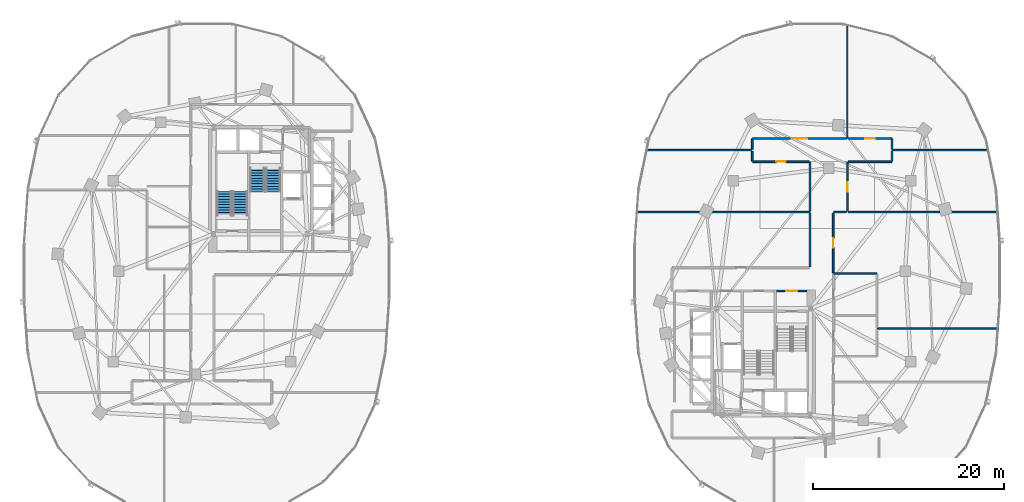
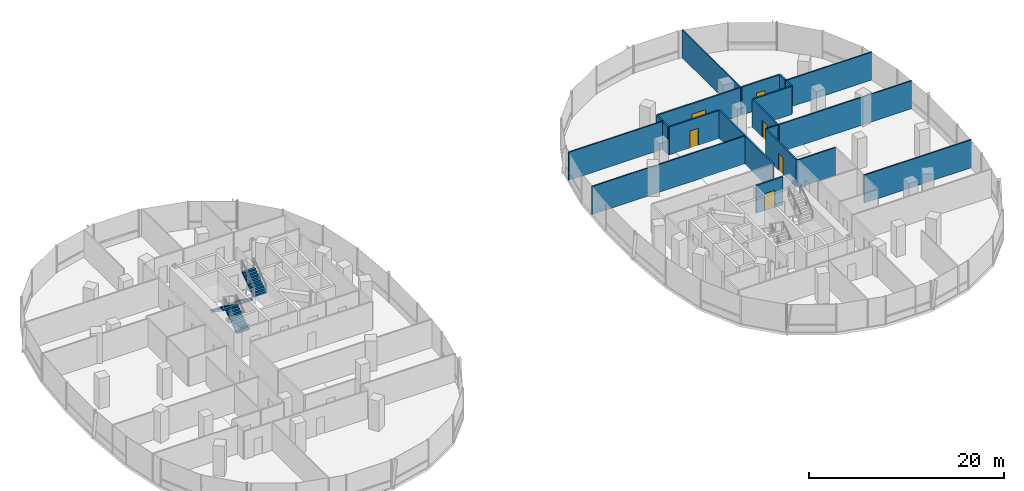
# One storey, part 14 of 22: 21 walls, 6 doors, 4 stair flights, 6 openings, 2 elements without a shape of their own.
"""IFC4 building model written with IfcOpenShell, lengths in metres."""

from ifc_helpers import new_model, si_unit, direction, frame, frame_2d, origin, place, context, subcontext, project, spatial, polyline, rectangle, outline, extrude, material, layer, layer_set, type_object, element, fill, aggregate, save


model = new_model("IFC4")

# Units and contexts
model_context = context("Model", 3, precision=1e-05, world=origin(), true_north=direction((0.0, 1.0)))
body_context = subcontext(model_context, "Body", "Model", "MODEL_VIEW")
ifc_project = project(units=[si_unit("LENGTHUNIT", "METRE"), si_unit("AREAUNIT", "SQUARE_METRE"), si_unit("VOLUMEUNIT", "CUBIC_METRE"), si_unit("PLANEANGLEUNIT", "RADIAN"), si_unit("MASSUNIT", "GRAM", prefix="KILO"), si_unit("THERMODYNAMICTEMPERATUREUNIT", "KELVIN"), si_unit("POWERUNIT", "WATT")], contexts=[model_context])

# Site, building, storey
site_placement = place(None, origin())
site = spatial("IfcSite", under=ifc_project, at=site_placement, CompositionType="ELEMENT")
building_placement = place(site_placement, origin())
building = spatial("IfcBuilding", under=site, at=building_placement, Name="Cundina Bronze Exchange", CompositionType="ELEMENT")
storey_placement = place(building_placement, frame((0.0, 0.0, 35.39990234375)))
storey = spatial("IfcBuildingStorey", under=building, at=storey_placement, Name="L08", CompositionType="ELEMENT", Elevation=35.39990234375)

# Wall, opening, door
ifc_material_1 = material(Name="Gypsum Fireboard Partition EI120")
ifc_layer_1 = layer(ifc_material_1, 0.179931640625, Name="Gypsum Fireboard Partition EI120")
ifc_layer_set_1 = layer_set([ifc_layer_1], Name="Gypsum Fireboard Partition EI120")
wall_type_1 = type_object("IfcWallType", Name="WL-COR-180", PredefinedType="PARTITIONING", material=ifc_layer_set_1)
wall_1_placement = place(storey_placement, frame((27.739990234375, -2.06005859375, 0.0), z_axis=(0.0, 0.0, 1.0), x_axis=(1.0, 0.0, 0.0)))
wall_1 = element("IfcWall", 1, at=wall_1_placement, inside=storey, type_object=wall_type_1, Name="L08 E Stair Vestibule Exit Wall", PredefinedType="PARTITIONING", context=body_context, shape_type="SweptSolid", body=[
    extrude(rectangle(XDim=3.159912109375, YDim=0.179931640625, at=frame_2d((1.580078125, 0.0))), origin(), (0.0, 0.0, 1.0), 3.5),
])
opening_1_placement = place(wall_1_placement, frame((0.97998046875, 0.0, 0.0)))
opening_1 = element("IfcOpeningElement", 2, at=opening_1_placement, cuts=wall_1, Name="Opening DF-01", PredefinedType="OPENING", context=body_context, shape_type="SweptSolid", body=[
    extrude(rectangle(XDim=1.199951171875, YDim=2.14990234375, at=frame_2d((0.60009765625, 1.074951171875))), frame((0.0, 0.099853515625, 0.0), z_axis=(0.0, -1.0, 0.0), x_axis=(1.0, 0.0, 0.0)), (0.0, 0.0, 1.0), 0.199951171875),
])
ifc_material_2 = material(Name="Steel ASTM A36 Painted", Category="steel")
door_type_1 = type_object("IfcDoorType", Name="DR-FFL-1200", OperationType="NOTDEFINED", PredefinedType="DOOR", material=ifc_material_2)
door_1_placement = place(opening_1_placement, origin())
door_1 = element("IfcDoor", 3, at=door_1_placement, inside=storey, type_object=door_type_1, Name="L08 E Stair Vestibule Door", OperationType="SINGLE_SWING_RIGHT", OverallHeight=2.14990234375, OverallWidth=1.199951171875, PredefinedType="DOOR", context=body_context, shape_type="SweptSolid", body=[
    extrude(rectangle(XDim=1.199951171875, YDim=2.14990234375, at=frame_2d((0.60009765625, 1.074951171875))), frame((0.0, 0.02490234375, 0.0), z_axis=(0.0, -1.0, 0.0), x_axis=(1.0, 0.0, 0.0)), (0.0, 0.0, 1.0), 0.050048828125),
])
fill(opening_1, door_1)

# Wall
wall_2_placement = place(storey_placement, frame((31.22998046875, 6.10009765625, 0.0), z_axis=(0.0, 0.0, 1.0), x_axis=(0.0, -1.0, 0.0)))
element("IfcWall", 4, at=wall_2_placement, inside=storey, type_object=wall_type_1, Name="L08 Interior Partition 082", PredefinedType="PARTITIONING", context=body_context, shape_type="SweptSolid", body=[
    extrude(rectangle(XDim=5.650146484375, YDim=0.179931640625, at=frame_2d((2.8251953125, 0.0))), origin(), (0.0, 0.0, 1.0), 3.5),
])

# Wall, opening, door
wall_3_placement = place(storey_placement, frame((33.669921875, -0.15869140625, 0.0), z_axis=(0.0, 0.0, 1.0), x_axis=(0.0, 1.0, 0.0)))
wall_3 = element("IfcWall", 5, at=wall_3_placement, inside=storey, type_object=wall_type_1, Name="L08 Interior Partition 086", PredefinedType="PARTITIONING", context=body_context, shape_type="SweptSolid", body=[
    extrude(rectangle(XDim=6.2587890625, YDim=0.179931640625, at=frame_2d((3.12939453125, 0.0))), origin(), (0.0, 0.0, 1.0), 3.5),
])
opening_2_placement = place(wall_3_placement, frame((2.62939453125, 0.0, 0.0)))
opening_2 = element("IfcOpeningElement", 6, at=opening_2_placement, cuts=wall_3, Name="Opening DO-01", PredefinedType="OPENING", context=body_context, shape_type="SweptSolid", body=[
    extrude(rectangle(XDim=1.0, YDim=2.14990234375, at=frame_2d((0.5, 1.074951171875))), frame((0.0, 0.099853515625, 0.0), z_axis=(0.0, -1.0, 0.0), x_axis=(1.0, 0.0, 0.0)), (0.0, 0.0, 1.0), 0.199951171875),
])
ifc_material_3 = material(Name="Solid Andean Oak Timber Grade A", Category="wood")
door_type_2 = type_object("IfcDoorType", Name="DR-OFF-1000", OperationType="NOTDEFINED", PredefinedType="DOOR", material=ifc_material_3)
door_2_placement = place(opening_2_placement, origin())
door_2 = element("IfcDoor", 7, at=door_2_placement, inside=storey, type_object=door_type_2, Name="L08 Interior Door 086", OperationType="SINGLE_SWING_RIGHT", OverallHeight=2.14990234375, OverallWidth=1.0, PredefinedType="DOOR", context=body_context, shape_type="SweptSolid", body=[
    extrude(rectangle(XDim=1.0, YDim=2.14990234375, at=frame_2d((0.5, 1.074951171875))), frame((0.0, 0.02490234375, 0.0), z_axis=(0.0, -1.0, 0.0), x_axis=(1.0, 0.0, 0.0)), (0.0, 0.0, 1.0), 0.050048828125),
])
fill(opening_2, door_2)

wall_4_placement = place(storey_placement, frame((25.221435546875, 11.47998046875, 0.0), z_axis=(0.0, 0.0, 1.0), x_axis=(1.0, 0.0, 0.0)))
wall_4 = element("IfcWall", 8, at=wall_4_placement, inside=storey, type_object=wall_type_1, Name="L08 Interior Partition 087", PredefinedType="PARTITIONING", context=body_context, shape_type="SweptSolid", body=[
    extrude(rectangle(XDim=5.928466796875, YDim=0.179931640625, at=frame_2d((2.96435546875, 0.0))), origin(), (0.0, 0.0, 1.0), 3.5),
])
opening_3_placement = place(wall_4_placement, frame((2.464111328125, 0.0, 0.0)))
opening_3 = element("IfcOpeningElement", 9, at=opening_3_placement, cuts=wall_4, Name="Opening DO-01", PredefinedType="OPENING", context=body_context, shape_type="SweptSolid", body=[
    extrude(rectangle(XDim=1.0, YDim=2.14990234375, at=frame_2d((0.5, 1.074951171875))), frame((0.0, 0.099853515625, 0.0), z_axis=(0.0, -1.0, 0.0), x_axis=(1.0, 0.0, 0.0)), (0.0, 0.0, 1.0), 0.199951171875),
])
door_3_placement = place(opening_3_placement, origin())
door_3 = element("IfcDoor", 10, at=door_3_placement, inside=storey, type_object=door_type_2, Name="L08 Interior Door 087", OperationType="SINGLE_SWING_RIGHT", OverallHeight=2.14990234375, OverallWidth=1.0, PredefinedType="DOOR", context=body_context, shape_type="SweptSolid", body=[
    extrude(rectangle(XDim=1.0, YDim=2.14990234375, at=frame_2d((0.5, 1.074951171875))), frame((0.0, 0.02490234375, 0.0), z_axis=(0.0, -1.0, 0.0), x_axis=(1.0, 0.0, 0.0)), (0.0, 0.0, 1.0), 0.050048828125),
])
fill(opening_3, door_3)

# Walls
wall_5_placement = place(storey_placement, frame((31.22998046875, 11.39990234375, 0.0), z_axis=(0.0, 0.0, 1.0), x_axis=(0.0, -1.0, 0.0)))
element("IfcWall", 11, at=wall_5_placement, inside=storey, type_object=wall_type_1, Name="L08 Interior Partition 088", PredefinedType="PARTITIONING", context=body_context, shape_type="SweptSolid", body=[
    extrude(rectangle(XDim=5.119873046875, YDim=0.179931640625, at=frame_2d((2.56005859375, 0.0))), origin(), (0.0, 0.0, 1.0), 3.5),
])
wall_6_placement = place(storey_placement, frame((25.179931640625, 12.60009765625, 0.0), z_axis=(0.0, 0.0, 1.0), x_axis=(0.0, -1.0, 0.0)))
element("IfcWall", 12, at=wall_6_placement, inside=storey, type_object=wall_type_1, Name="L08 Interior Partition 089", PredefinedType="PARTITIONING", context=body_context, shape_type="SweptSolid", body=[
    extrude(rectangle(XDim=1.07861328125, YDim=0.179931640625, at=frame_2d((0.539306640625, 0.0))), origin(), (0.0, 0.0, 1.0), 3.5),
])

# Wall, opening, door
wall_7_placement = place(storey_placement, frame((35.14990234375, 6.280029296875, 0.0), z_axis=(0.0, 0.0, 1.0), x_axis=(0.0, 1.0, 0.0)))
wall_7 = element("IfcWall", 13, at=wall_7_placement, inside=storey, type_object=wall_type_1, Name="L08 Interior Partition 090", PredefinedType="PARTITIONING", context=body_context, shape_type="SweptSolid", body=[
    extrude(rectangle(XDim=5.119873046875, YDim=0.179931640625, at=frame_2d((2.56005859375, 0.0))), origin(), (0.0, 0.0, 1.0), 3.5),
])
opening_4_placement = place(wall_7_placement, frame((2.06005859375, 0.0, 0.0)))
opening_4 = element("IfcOpeningElement", 14, at=opening_4_placement, cuts=wall_7, Name="Opening DO-01", PredefinedType="OPENING", context=body_context, shape_type="SweptSolid", body=[
    extrude(rectangle(XDim=1.0, YDim=2.14990234375, at=frame_2d((0.5, 1.074951171875))), frame((0.0, 0.099853515625, 0.0), z_axis=(0.0, -1.0, 0.0), x_axis=(1.0, 0.0, 0.0)), (0.0, 0.0, 1.0), 0.199951171875),
])
door_4_placement = place(opening_4_placement, origin())
door_4 = element("IfcDoor", 15, at=door_4_placement, inside=storey, type_object=door_type_2, Name="L08 Interior Door 090", OperationType="SINGLE_SWING_RIGHT", OverallHeight=2.14990234375, OverallWidth=1.0, PredefinedType="DOOR", context=body_context, shape_type="SweptSolid", body=[
    extrude(rectangle(XDim=1.0, YDim=2.14990234375, at=frame_2d((0.5, 1.074951171875))), frame((0.0, 0.02490234375, 0.0), z_axis=(0.0, -1.0, 0.0), x_axis=(1.0, 0.0, 0.0)), (0.0, 0.0, 1.0), 0.050048828125),
])
fill(opening_4, door_4)

# Walls
wall_8_placement = place(storey_placement, frame((35.22998046875, 11.47998046875, 0.0), z_axis=(0.0, 0.0, 1.0), x_axis=(1.0, 0.0, 0.0)))
element("IfcWall", 16, at=wall_8_placement, inside=storey, type_object=wall_type_1, Name="L08 Interior Partition 091", PredefinedType="PARTITIONING", context=body_context, shape_type="SweptSolid", body=[
    extrude(rectangle(XDim=4.548583984375, YDim=0.179931640625, at=frame_2d((2.2744140625, 0.0))), origin(), (0.0, 0.0, 1.0), 3.5),
])
wall_9_placement = place(storey_placement, frame((39.820068359375, 11.521484375, 0.0), z_axis=(0.0, 0.0, 1.0), x_axis=(0.0, 1.0, 0.0)))
element("IfcWall", 17, at=wall_9_placement, inside=storey, type_object=wall_type_1, Name="L08 Interior Partition 092", PredefinedType="PARTITIONING", context=body_context, shape_type="SweptSolid", body=[
    extrude(rectangle(XDim=1.07861328125, YDim=0.179931640625, at=frame_2d((0.539306640625, 0.0))), origin(), (0.0, 0.0, 1.0), 3.5),
])

# Wall, opening, door
wall_10_placement = place(storey_placement, frame((39.778564453125, 13.919921875, 0.0), z_axis=(0.0, 0.0, 1.0), x_axis=(-1.0, 0.0, 0.0)))
wall_10 = element("IfcWall", 18, at=wall_10_placement, inside=storey, type_object=wall_type_1, Name="L08 Interior Partition 093", PredefinedType="PARTITIONING", context=body_context, shape_type="SweptSolid", body=[
    extrude(rectangle(XDim=4.548583984375, YDim=0.179931640625, at=frame_2d((2.2744140625, 0.0))), origin(), (0.0, 0.0, 1.0), 3.5),
])
opening_5_placement = place(wall_10_placement, frame((1.7744140625, 0.0, 0.0)))
opening_5 = element("IfcOpeningElement", 19, at=opening_5_placement, cuts=wall_10, Name="Opening DO-01", PredefinedType="OPENING", context=body_context, shape_type="SweptSolid", body=[
    extrude(rectangle(XDim=1.0, YDim=2.14990234375, at=frame_2d((0.5, 1.074951171875))), frame((0.0, 0.099853515625, 0.0), z_axis=(0.0, -1.0, 0.0), x_axis=(1.0, 0.0, 0.0)), (0.0, 0.0, 1.0), 0.199951171875),
])
door_5_placement = place(opening_5_placement, origin())
door_5 = element("IfcDoor", 20, at=door_5_placement, inside=storey, type_object=door_type_2, Name="L08 Interior Door 093", OperationType="SINGLE_SWING_RIGHT", OverallHeight=2.14990234375, OverallWidth=1.0, PredefinedType="DOOR", context=body_context, shape_type="SweptSolid", body=[
    extrude(rectangle(XDim=1.0, YDim=2.14990234375, at=frame_2d((0.5, 1.074951171875))), frame((0.0, 0.02490234375, 0.0), z_axis=(0.0, -1.0, 0.0), x_axis=(1.0, 0.0, 0.0)), (0.0, 0.0, 1.0), 0.050048828125),
])
fill(opening_5, door_5)

# Wall
wall_11_placement = place(storey_placement, frame((39.820068359375, 12.780029296875, 0.0), z_axis=(0.0, 0.0, 1.0), x_axis=(0.0, 1.0, 0.0)))
element("IfcWall", 21, at=wall_11_placement, inside=storey, type_object=wall_type_1, Name="L08 Interior Partition 094", PredefinedType="PARTITIONING", context=body_context, shape_type="SweptSolid", body=[
    extrude(rectangle(XDim=1.098388671875, YDim=0.179931640625, at=frame_2d((0.54931640625, 0.0))), origin(), (0.0, 0.0, 1.0), 3.5),
])

# Wall, opening, door
wall_12_placement = place(storey_placement, frame((35.050048828125, 13.919921875, 0.0), z_axis=(0.0, 0.0, 1.0), x_axis=(-1.0, 0.0, 0.0)))
wall_12 = element("IfcWall", 22, at=wall_12_placement, inside=storey, type_object=wall_type_1, Name="L08 Interior Partition 095", PredefinedType="PARTITIONING", context=body_context, shape_type="SweptSolid", body=[
    extrude(rectangle(XDim=9.82861328125, YDim=0.179931640625, at=frame_2d((4.914306640625, 0.0))), origin(), (0.0, 0.0, 1.0), 3.5),
])
opening_6_placement = place(wall_12_placement, frame((4.1142578125, 0.0, 0.0)))
opening_6 = element("IfcOpeningElement", 23, at=opening_6_placement, cuts=wall_12, Name="Opening DO-02", PredefinedType="OPENING", context=body_context, shape_type="SweptSolid", body=[
    extrude(rectangle(XDim=1.60009765625, YDim=2.199951171875, at=frame_2d((0.800048828125, 1.10009765625))), frame((0.0, 0.099853515625, 0.0), z_axis=(0.0, -1.0, 0.0), x_axis=(1.0, 0.0, 0.0)), (0.0, 0.0, 1.0), 0.199951171875),
])
door_type_3 = type_object("IfcDoorType", Name="DR-TRD-1600", OperationType="NOTDEFINED", PredefinedType="DOOR", material=ifc_material_3)
door_6_placement = place(opening_6_placement, origin())
door_6 = element("IfcDoor", 24, at=door_6_placement, inside=storey, type_object=door_type_3, Name="L08 Interior Door 095", OperationType="SINGLE_SWING_RIGHT", OverallHeight=2.199951171875, OverallWidth=1.60009765625, PredefinedType="DOOR", context=body_context, shape_type="SweptSolid", body=[
    extrude(rectangle(XDim=1.60009765625, YDim=2.199951171875, at=frame_2d((0.800048828125, 1.10009765625))), frame((0.0, 0.02490234375, 0.0), z_axis=(0.0, -1.0, 0.0), x_axis=(1.0, 0.0, 0.0)), (0.0, 0.0, 1.0), 0.050048828125),
])
fill(opening_6, door_6)

# Walls
wall_13_placement = place(storey_placement, frame((25.179931640625, 13.87841796875, 0.0), z_axis=(0.0, 0.0, 1.0), x_axis=(0.0, -1.0, 0.0)))
element("IfcWall", 25, at=wall_13_placement, inside=storey, type_object=wall_type_1, Name="L08 Interior Partition 096", PredefinedType="PARTITIONING", context=body_context, shape_type="SweptSolid", body=[
    extrude(rectangle(XDim=1.098388671875, YDim=0.179931640625, at=frame_2d((0.54931640625, 0.0))), origin(), (0.0, 0.0, 1.0), 3.5),
])
ifc_material_4 = material(Name="Gypsum Acoustic Partition EI60")
ifc_layer_2 = layer(ifc_material_4, 0.125, Name="Gypsum Acoustic Partition EI60")
ifc_layer_set_2 = layer_set([ifc_layer_2], Name="Gypsum Acoustic Partition EI60")
wall_type_2 = type_object("IfcWallType", Name="WL-OFF-125", PredefinedType="PARTITIONING", material=ifc_layer_set_2)
wall_14_placement = place(storey_placement, frame((35.139892578125, 13.949951171875, 0.0), z_axis=(0.0, 0.0, 1.0), x_axis=(0.0, 1.0, 0.0)))
element("IfcWall", 26, at=wall_14_placement, inside=storey, type_object=wall_type_2, Name="L08 Interior Partition 065", PredefinedType="PARTITIONING", context=body_context, shape_type="SweptSolid", body=[
    extrude(rectangle(XDim=11.924560546875, YDim=0.125, at=frame_2d((5.96240234375, 0.0))), origin(), (0.0, 0.0, 1.0), 3.5),
])
ifc_layer_3 = layer(ifc_material_4, 0.14990234375, Name="Gypsum Acoustic Partition EI60")
ifc_layer_set_3 = layer_set([ifc_layer_3], Name="Gypsum Acoustic Partition EI60")
wall_type_3 = type_object("IfcWallType", Name="WL-TEN-150", PredefinedType="PARTITIONING", material=ifc_layer_set_3)
wall_15_placement = place(storey_placement, frame((13.021484375, 6.18994140625, 0.0), z_axis=(0.0, 0.0, 1.0), x_axis=(1.0, 0.0, 0.0)))
element("IfcWall", 27, at=wall_15_placement, inside=storey, type_object=wall_type_3, Name="L08 Interior Partition 066", PredefinedType="PARTITIONING", context=body_context, shape_type="SweptSolid", body=[
    extrude(rectangle(XDim=18.178466796875, YDim=0.14990234375, at=frame_2d((9.08935546875, 0.0))), origin(), (0.0, 0.0, 1.0), 3.5),
])
wall_16_placement = place(storey_placement, frame((33.699951171875, 6.18994140625, 0.0), z_axis=(0.0, 0.0, 1.0), x_axis=(1.0, 0.0, 0.0)))
element("IfcWall", 28, at=wall_16_placement, inside=storey, type_object=wall_type_3, Name="L08 Interior Partition 067", PredefinedType="PARTITIONING", context=body_context, shape_type="SweptSolid", body=[
    extrude(rectangle(XDim=1.35498046875, YDim=0.14990234375, at=frame_2d((0.677490234375, 0.0))), origin(), (0.0, 0.0, 1.0), 3.5),
])
wall_17_placement = place(storey_placement, frame((35.22509765625, 6.18994140625, 0.0), z_axis=(0.0, 0.0, 1.0), x_axis=(1.0, 0.0, 0.0)))
element("IfcWall", 29, at=wall_17_placement, inside=storey, type_object=wall_type_3, Name="L08 Interior Partition 068", PredefinedType="PARTITIONING", context=body_context, shape_type="SweptSolid", body=[
    extrude(rectangle(XDim=15.75341796875, YDim=0.14990234375, at=frame_2d((7.876708984375, 0.0))), origin(), (0.0, 0.0, 1.0), 3.5),
])
wall_18_placement = place(storey_placement, frame((14.02587890625, 12.68994140625, 0.0), z_axis=(0.0, 0.0, 1.0), x_axis=(1.0, 0.0, 0.0)))
element("IfcWall", 30, at=wall_18_placement, inside=storey, type_object=wall_type_3, Name="L08 Interior Partition 069", PredefinedType="PARTITIONING", context=body_context, shape_type="SweptSolid", body=[
    extrude(rectangle(XDim=11.1240234375, YDim=0.14990234375, at=frame_2d((5.56201171875, 0.0))), origin(), (0.0, 0.0, 1.0), 3.5),
])
wall_19_placement = place(storey_placement, frame((39.85009765625, 12.68994140625, 0.0), z_axis=(0.0, 0.0, 1.0), x_axis=(1.0, 0.0, 0.0)))
element("IfcWall", 31, at=wall_19_placement, inside=storey, type_object=wall_type_3, Name="L08 Interior Partition 070", PredefinedType="PARTITIONING", context=body_context, shape_type="SweptSolid", body=[
    extrude(rectangle(XDim=10.1240234375, YDim=0.14990234375, at=frame_2d((5.06201171875, 0.0))), origin(), (0.0, 0.0, 1.0), 3.5),
])
wall_20_placement = place(storey_placement, frame((38.27001953125, -6.02001953125, 0.0), z_axis=(0.0, 0.0, 1.0), x_axis=(1.0, 0.0, 0.0)))
element("IfcWall", 32, at=wall_20_placement, inside=storey, type_object=wall_type_3, Name="L08 Interior Partition 071", PredefinedType="PARTITIONING", context=body_context, shape_type="SweptSolid", body=[
    extrude(rectangle(XDim=12.720458984375, YDim=0.14990234375, at=frame_2d((6.3603515625, 0.0))), origin(), (0.0, 0.0, 1.0), 3.5),
])
ifc_material_5 = material(Name="Moisture-Resistant Masonry Block Grade M15", Category="masonry")
ifc_layer_4 = layer(ifc_material_5, 0.139892578125, Name="Moisture-Resistant Masonry Block Grade M15", Category="masonry")
ifc_layer_set_4 = layer_set([ifc_layer_4], Name="Moisture-Resistant Masonry Block Grade M15")
wall_type_4 = type_object("IfcWallType", Name="WL-WET-140", PredefinedType="PARTITIONING", material=ifc_layer_set_4)
wall_21_placement = place(storey_placement, frame((33.739990234375, -0.25, 0.0), z_axis=(0.0, 0.0, 1.0), x_axis=(1.0, 0.0, 0.0)))
element("IfcWall", 33, at=wall_21_placement, inside=storey, type_object=wall_type_4, Name="L08 Interior Partition 060", PredefinedType="PARTITIONING", context=body_context, shape_type="SweptSolid", body=[
    extrude(rectangle(XDim=4.47998046875, YDim=0.139892578125, at=frame_2d((2.239990234375, 0.0))), origin(), (0.0, 0.0, 1.0), 3.5),
])

# Stair, stair flights
ifc_material_6 = material(Name="Concrete C40/50", Category="concrete")
stair_type = type_object("IfcStairType", Name="STR-TRD-380", PredefinedType="HALF_TURN_STAIR", material=ifc_material_6)
stair_1_placement = place(storey_placement, origin())
stair_1 = element("IfcStair", 34, at=stair_1_placement, inside=storey, type_object=stair_type, Name="L08 Smokeproof Exit Stair W1", PredefinedType="HALF_TURN_STAIR")
stair_flight_type = type_object("IfcStairFlightType", Name="FLG-TRD-190", PredefinedType="STRAIGHT", material=ifc_material_6)
stair_flight_1_placement = place(storey_placement, frame((-28.489990234375, 5.85009765625, 0.0), z_axis=(0.0, 0.0, 1.0), x_axis=(0.0, 1.0, 0.0)))
stair_flight_1 = element("IfcStairFlight", 35, at=stair_flight_1_placement, type_object=stair_flight_type, Name="ST-W1 flight 1", NumberOfRisers=10, NumberOfTreads=9, PredefinedType="STRAIGHT", RiserHeight=0.19, TreadLength=0.28, context=body_context, shape_type="SweptSolid", body=[
    extrude(outline(polyline([(0.0, 0.0), (0.0, 0.18994140625), (0.280029296875, 0.18994140625), (0.280029296875, 0.3798828125), (0.56005859375, 0.3798828125), (0.56005859375, 0.570068359375), (0.840087890625, 0.570068359375), (0.840087890625, 0.760009765625), (1.1201171875, 0.760009765625), (1.1201171875, 0.949951171875), (1.39990234375, 0.949951171875), (1.39990234375, 1.139892578125), (1.679931640625, 1.139892578125), (1.679931640625, 1.330078125), (1.9599609375, 1.330078125), (1.9599609375, 1.52001953125), (2.239990234375, 1.52001953125), (2.239990234375, 1.7099609375), (2.52001953125, 1.7099609375), (2.52001953125, 1.89990234375), (2.52001953125, 1.52880859375), (0.266845703125, 0.0), (0.0, 0.0)])), frame((0.0, 0.75, 0.0), z_axis=(0.0, -1.0, 0.0), x_axis=(1.0, 0.0, 0.0)), (0.0, 0.0, 1.0), 1.5),
])
stair_flight_2_placement = place(storey_placement, frame((-30.14990234375, 8.3701171875, 1.900146484375), z_axis=(0.0, 0.0, 1.0), x_axis=(0.0, -1.0, 0.0)))
stair_flight_2 = element("IfcStairFlight", 36, at=stair_flight_2_placement, type_object=stair_flight_type, Name="ST-W1 flight 2", NumberOfRisers=10, NumberOfTreads=9, PredefinedType="STRAIGHT", RiserHeight=0.19, TreadLength=0.28, context=body_context, shape_type="SweptSolid", body=[
    extrude(outline(polyline([(0.0, 0.0), (0.0, 0.18994140625), (0.280029296875, 0.18994140625), (0.280029296875, 0.3798828125), (0.56005859375, 0.3798828125), (0.56005859375, 0.570068359375), (0.840087890625, 0.570068359375), (0.840087890625, 0.760009765625), (1.1201171875, 0.760009765625), (1.1201171875, 0.949951171875), (1.39990234375, 0.949951171875), (1.39990234375, 1.139892578125), (1.679931640625, 1.139892578125), (1.679931640625, 1.330078125), (1.9599609375, 1.330078125), (1.9599609375, 1.52001953125), (2.239990234375, 1.52001953125), (2.239990234375, 1.7099609375), (2.52001953125, 1.7099609375), (2.52001953125, 1.89990234375), (2.52001953125, 1.52880859375), (0.266845703125, 0.0), (0.0, 0.0)])), frame((0.0, 0.75, 0.0), z_axis=(0.0, -1.0, 0.0), x_axis=(1.0, 0.0, 0.0)), (0.0, 0.0, 1.0), 1.5),
])
aggregate(stair_1, [stair_flight_1, stair_flight_2])

stair_2_placement = place(storey_placement, origin())
stair_2 = element("IfcStair", 37, at=stair_2_placement, inside=storey, type_object=stair_type, Name="L08 Smokeproof Exit Stair W2", PredefinedType="HALF_TURN_STAIR")
stair_flight_3_placement = place(storey_placement, frame((-26.68994140625, 10.85009765625, 0.0), z_axis=(0.0, 0.0, 1.0), x_axis=(0.0, -1.0, 0.0)))
stair_flight_3 = element("IfcStairFlight", 38, at=stair_flight_3_placement, type_object=stair_flight_type, Name="ST-W2 flight 1", NumberOfRisers=10, NumberOfTreads=9, PredefinedType="STRAIGHT", RiserHeight=0.19, TreadLength=0.28, context=body_context, shape_type="SweptSolid", body=[
    extrude(outline(polyline([(0.0, 0.0), (0.0, 0.18994140625), (0.280029296875, 0.18994140625), (0.280029296875, 0.3798828125), (0.56005859375, 0.3798828125), (0.56005859375, 0.570068359375), (0.840087890625, 0.570068359375), (0.840087890625, 0.760009765625), (1.1201171875, 0.760009765625), (1.1201171875, 0.949951171875), (1.39990234375, 0.949951171875), (1.39990234375, 1.139892578125), (1.679931640625, 1.139892578125), (1.679931640625, 1.330078125), (1.9599609375, 1.330078125), (1.9599609375, 1.52001953125), (2.239990234375, 1.52001953125), (2.239990234375, 1.7099609375), (2.52001953125, 1.7099609375), (2.52001953125, 1.89990234375), (2.52001953125, 1.52880859375), (0.266845703125, 0.0), (0.0, 0.0)])), frame((0.0, 0.75, 0.0), z_axis=(0.0, -1.0, 0.0), x_axis=(1.0, 0.0, 0.0)), (0.0, 0.0, 1.0), 1.5),
])
stair_flight_4_placement = place(storey_placement, frame((-25.030029296875, 8.330078125, 1.900146484375), z_axis=(0.0, 0.0, 1.0), x_axis=(0.0, 1.0, 0.0)))
stair_flight_4 = element("IfcStairFlight", 39, at=stair_flight_4_placement, type_object=stair_flight_type, Name="ST-W2 flight 2", NumberOfRisers=10, NumberOfTreads=9, PredefinedType="STRAIGHT", RiserHeight=0.19, TreadLength=0.28, context=body_context, shape_type="SweptSolid", body=[
    extrude(outline(polyline([(0.0, 0.0), (0.0, 0.18994140625), (0.280029296875, 0.18994140625), (0.280029296875, 0.3798828125), (0.56005859375, 0.3798828125), (0.56005859375, 0.570068359375), (0.840087890625, 0.570068359375), (0.840087890625, 0.760009765625), (1.1201171875, 0.760009765625), (1.1201171875, 0.949951171875), (1.39990234375, 0.949951171875), (1.39990234375, 1.139892578125), (1.679931640625, 1.139892578125), (1.679931640625, 1.330078125), (1.9599609375, 1.330078125), (1.9599609375, 1.52001953125), (2.239990234375, 1.52001953125), (2.239990234375, 1.7099609375), (2.52001953125, 1.7099609375), (2.52001953125, 1.89990234375), (2.52001953125, 1.52880859375), (0.266845703125, 0.0), (0.0, 0.0)])), frame((0.0, 0.75, 0.0), z_axis=(0.0, -1.0, 0.0), x_axis=(1.0, 0.0, 0.0)), (0.0, 0.0, 1.0), 1.5),
])
aggregate(stair_2, [stair_flight_3, stair_flight_4])

save(model, "model.ifc")
